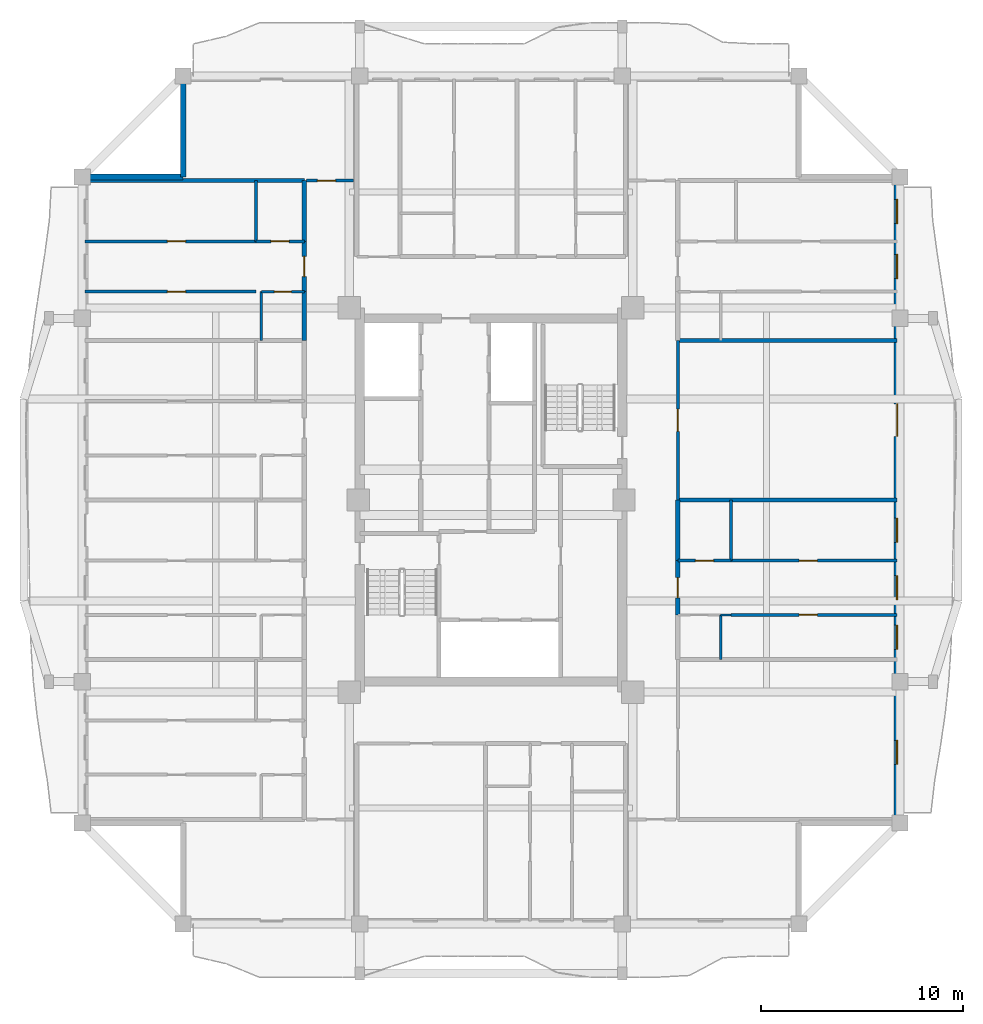
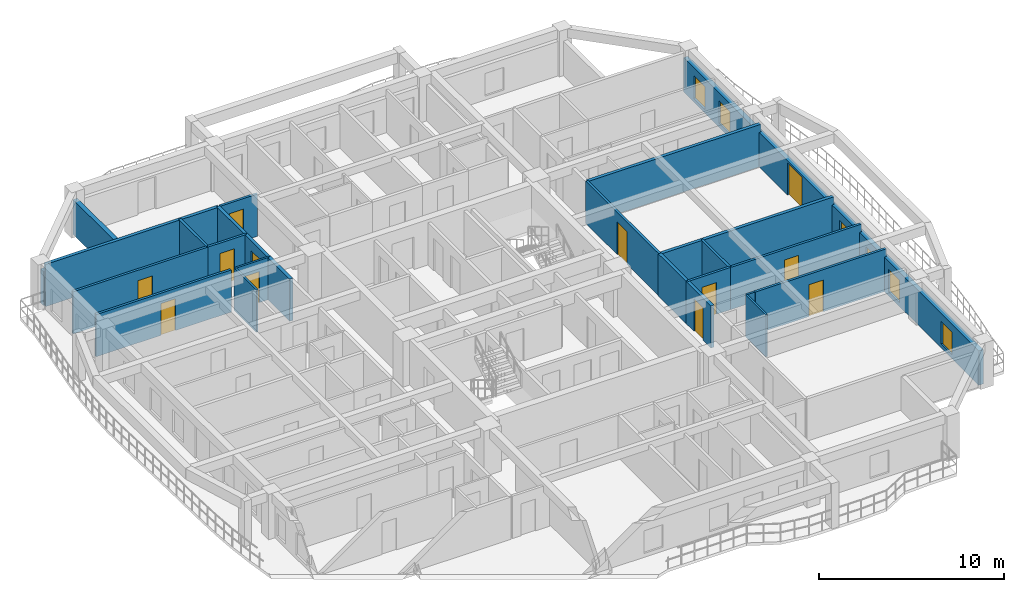
# One storey, part 5 of 13: 25 walls, 12 doors, 6 windows, 18 openings.
"""IFC4 building model written with IfcOpenShell, lengths in metres."""

from ifc_helpers import new_model, si_unit, direction, frame, frame_2d, origin, place, context, subcontext, project, spatial, rectangle, extrude, source, transform, mapped, material, layer, layer_set, type_object, element, fill, save


model = new_model("IFC4")

# Units and contexts
model_context = context("Model", 3, precision=1e-05, world=origin(), true_north=direction((0.0, 1.0)))
body_context = subcontext(model_context, "Body", "Model", "MODEL_VIEW")
ifc_project = project(units=[si_unit("LENGTHUNIT", "METRE"), si_unit("AREAUNIT", "SQUARE_METRE"), si_unit("VOLUMEUNIT", "CUBIC_METRE"), si_unit("PLANEANGLEUNIT", "RADIAN"), si_unit("MASSUNIT", "GRAM", prefix="KILO")], contexts=[model_context])

# Site, building, storey
site_placement = place(None, origin())
site = spatial("IfcSite", under=ifc_project, at=site_placement, CompositionType="ELEMENT")
building_placement = place(site_placement, origin())
building = spatial("IfcBuilding", under=site, at=building_placement, Name="Saelheon Loggia Tower", CompositionType="ELEMENT")
storey_placement = place(building_placement, frame((0.0, 0.0, 189.699951171875)))
storey = spatial("IfcBuildingStorey", under=building, at=storey_placement, Name="L59", CompositionType="ELEMENT", Elevation=189.699951171875)

# Wall, openings, windows, door
ifc_material_1 = material(Name="Architectural Precast Concrete C40/50", Category="concrete")
ifc_layer_1 = layer(ifc_material_1, 0.280029296875)
ifc_layer_set_1 = layer_set([ifc_layer_1], Name="Architectural Precast Concrete C40/50")
wall_type_1 = type_object("IfcWallType", Name="Wall_Ext_Loggia_280", PredefinedType="SOLIDWALL", material=ifc_layer_set_1)
wall_1_placement = place(storey_placement, frame((58.110107421875, 11.0, 0.0), z_axis=(0.0, 0.0, 1.0), x_axis=(0.0, 1.0, 0.0)))
wall_1 = element("IfcWall", 1, at=wall_1_placement, inside=storey, type_object=wall_type_1, Name="L59 East Loggia Inner Wall", PredefinedType="SOLIDWALL", context=body_context, shape_type="SweptSolid", body=[
    extrude(rectangle(XDim=32.0, YDim=0.280029296875, at=frame_2d((16.0, 0.0))), origin(), (0.0, 0.0, 1.0), 2.280029296875),
])
opening_1_placement = place(wall_1_placement, frame((2.89990234375, 0.0, 0.25)))
opening_1 = element("IfcOpeningElement", 2, at=opening_1_placement, cuts=wall_1, Name="Opening WN-03", PredefinedType="OPENING", context=body_context, shape_type="SweptSolid", body=[
    extrude(rectangle(XDim=1.199951171875, YDim=1.5, at=frame_2d((0.60009765625, 0.75))), frame((0.0, 0.152099609375, 0.0), z_axis=(0.0, -1.0, 0.0), x_axis=(1.0, 0.0, 0.0)), (0.0, 0.0, 1.0), 0.303955078125),
])
opening_2_placement = place(wall_1_placement, frame((8.597412109375, 0.0, 0.25)))
opening_2 = element("IfcOpeningElement", 3, at=opening_2_placement, cuts=wall_1, Name="Opening WN-03", PredefinedType="OPENING", context=body_context, shape_type="SweptSolid", body=[
    extrude(rectangle(XDim=1.199951171875, YDim=1.5, at=frame_2d((0.60009765625, 0.75))), frame((0.0, 0.152099609375, 0.0), z_axis=(0.0, -1.0, 0.0), x_axis=(1.0, 0.0, 0.0)), (0.0, 0.0, 1.0), 0.303955078125),
])
opening_3_placement = place(wall_1_placement, frame((11.049560546875, 0.0, 0.25)))
opening_3 = element("IfcOpeningElement", 4, at=opening_3_placement, cuts=wall_1, Name="Opening WN-03", PredefinedType="OPENING", context=body_context, shape_type="SweptSolid", body=[
    extrude(rectangle(XDim=1.199951171875, YDim=1.5, at=frame_2d((0.60009765625, 0.75))), frame((0.0, 0.152099609375, 0.0), z_axis=(0.0, -1.0, 0.0), x_axis=(1.0, 0.0, 0.0)), (0.0, 0.0, 1.0), 0.303955078125),
])
opening_4_placement = place(wall_1_placement, frame((13.897216796875, 0.0, 0.25)))
opening_4 = element("IfcOpeningElement", 5, at=opening_4_placement, cuts=wall_1, Name="Opening WN-03", PredefinedType="OPENING", context=body_context, shape_type="SweptSolid", body=[
    extrude(rectangle(XDim=1.199951171875, YDim=1.5, at=frame_2d((0.60009765625, 0.75))), frame((0.0, 0.152099609375, 0.0), z_axis=(0.0, -1.0, 0.0), x_axis=(1.0, 0.0, 0.0)), (0.0, 0.0, 1.0), 0.303955078125),
])
opening_5_placement = place(wall_1_placement, frame((20.755126953125, 0.0, 0.0), z_axis=(0.0, 0.0, 1.0), x_axis=(-1.0, 0.0, 0.0)))
opening_5 = element("IfcOpeningElement", 6, at=opening_5_placement, cuts=wall_1, Name="Opening DLG-1", PredefinedType="OPENING", context=body_context, shape_type="SweptSolid", body=[
    extrude(rectangle(XDim=1.60009765625, YDim=2.14990234375, at=frame_2d((0.800048828125, 1.074951171875))), frame((0.0, 0.152099609375, 0.0), z_axis=(0.0, -1.0, 0.0), x_axis=(1.0, 0.0, 0.0)), (0.0, 0.0, 1.0), 0.303955078125),
])
opening_6_placement = place(wall_1_placement, frame((26.967041015625, 0.0, 0.25)))
opening_6 = element("IfcOpeningElement", 7, at=opening_6_placement, cuts=wall_1, Name="Opening WN-03", PredefinedType="OPENING", context=body_context, shape_type="SweptSolid", body=[
    extrude(rectangle(XDim=1.199951171875, YDim=1.5, at=frame_2d((0.60009765625, 0.75))), frame((0.0, 0.152099609375, 0.0), z_axis=(0.0, -1.0, 0.0), x_axis=(1.0, 0.0, 0.0)), (0.0, 0.0, 1.0), 0.303955078125),
])
opening_7_placement = place(wall_1_placement, frame((29.68701171875, 0.0, 0.25)))
opening_7 = element("IfcOpeningElement", 8, at=opening_7_placement, cuts=wall_1, Name="Opening WN-03", PredefinedType="OPENING", context=body_context, shape_type="SweptSolid", body=[
    extrude(rectangle(XDim=1.199951171875, YDim=1.5, at=frame_2d((0.60009765625, 0.75))), frame((0.0, 0.152099609375, 0.0), z_axis=(0.0, -1.0, 0.0), x_axis=(1.0, 0.0, 0.0)), (0.0, 0.0, 1.0), 0.303955078125),
])
ifc_material_2 = material(Name="Thermal-Break Aluminium and Triple Low-E Glass", Category="aluminium")
window_type = type_object("IfcWindowType", Name="Win_Bedroom_1200x1500", PartitioningType="SINGLE_PANEL", PredefinedType="WINDOW", material=ifc_material_2)
shared_shape_1 = source(origin(), body_context, "Body", "SweptSolid", [
    extrude(rectangle(XDim=1.199951171875, YDim=1.5, at=frame_2d((0.60009765625, 0.75))), frame((0.0, 0.030029296875, 0.0), z_axis=(0.0, -1.0, 0.0), x_axis=(1.0, 0.0, 0.0)), (0.0, 0.0, 1.0), 0.06005859375),
])
window_1_placement = place(opening_1_placement, origin())
window_1 = element("IfcWindow", 9, at=window_1_placement, inside=storey, type_object=window_type, Name="L59 E Dwelling Window 1", OverallHeight=1.5, OverallWidth=1.199951171875, PartitioningType="SINGLE_PANEL", PredefinedType="WINDOW", context=body_context, shape_type="MappedRepresentation", body=[
    mapped(shared_shape_1, transform((0.0, 0.0, 0.0), scale=1.0)),
])
fill(opening_1, window_1)
window_2_placement = place(opening_2_placement, origin())
window_2 = element("IfcWindow", 10, at=window_2_placement, inside=storey, type_object=window_type, Name="L59 E Dwelling Window 2", OverallHeight=1.5, OverallWidth=1.199951171875, PartitioningType="SINGLE_PANEL", PredefinedType="WINDOW", context=body_context, shape_type="MappedRepresentation", body=[
    mapped(shared_shape_1, transform((0.0, 0.0, 0.0), scale=1.0)),
])
fill(opening_2, window_2)
window_3_placement = place(opening_3_placement, origin())
window_3 = element("IfcWindow", 11, at=window_3_placement, inside=storey, type_object=window_type, Name="L59 E Dwelling Window 3", OverallHeight=1.5, OverallWidth=1.199951171875, PartitioningType="SINGLE_PANEL", PredefinedType="WINDOW", context=body_context, shape_type="MappedRepresentation", body=[
    mapped(shared_shape_1, transform((0.0, 0.0, 0.0), scale=1.0)),
])
fill(opening_3, window_3)
window_4_placement = place(opening_4_placement, origin())
window_4 = element("IfcWindow", 12, at=window_4_placement, inside=storey, type_object=window_type, Name="L59 E Dwelling Window 4", OverallHeight=1.5, OverallWidth=1.199951171875, PartitioningType="SINGLE_PANEL", PredefinedType="WINDOW", context=body_context, shape_type="MappedRepresentation", body=[
    mapped(shared_shape_1, transform((0.0, 0.0, 0.0), scale=1.0)),
])
fill(opening_4, window_4)
window_5_placement = place(opening_6_placement, origin())
window_5 = element("IfcWindow", 13, at=window_5_placement, inside=storey, type_object=window_type, Name="L59 E Dwelling Window 6", OverallHeight=1.5, OverallWidth=1.199951171875, PartitioningType="SINGLE_PANEL", PredefinedType="WINDOW", context=body_context, shape_type="MappedRepresentation", body=[
    mapped(shared_shape_1, transform((0.0, 0.0, 0.0), scale=1.0)),
])
fill(opening_6, window_5)
window_6_placement = place(opening_7_placement, origin())
window_6 = element("IfcWindow", 14, at=window_6_placement, inside=storey, type_object=window_type, Name="L59 E Dwelling Window 7", OverallHeight=1.5, OverallWidth=1.199951171875, PartitioningType="SINGLE_PANEL", PredefinedType="WINDOW", context=body_context, shape_type="MappedRepresentation", body=[
    mapped(shared_shape_1, transform((0.0, 0.0, 0.0), scale=1.0)),
])
fill(opening_7, window_6)
ifc_material_3 = material(Name="Thermal-Break Aluminium Sliding Glazed Door", Category="aluminium")
door_type_1 = type_object("IfcDoorType", Name="Door_LoggiaSlide_1600", OperationType="SLIDING_TO_LEFT", PredefinedType="DOOR", material=ifc_material_3)
shared_shape_2 = source(origin(), body_context, "Body", "SweptSolid", [
    extrude(rectangle(XDim=1.60009765625, YDim=2.14990234375, at=frame_2d((0.800048828125, 1.074951171875))), frame((0.0, 0.02490234375, 0.0), z_axis=(0.0, -1.0, 0.0), x_axis=(1.0, 0.0, 0.0)), (0.0, 0.0, 1.0), 0.050048828125),
])
door_1_placement = place(opening_5_placement, origin())
door_1 = element("IfcDoor", 15, at=door_1_placement, inside=storey, type_object=door_type_1, Name="L59 E Loggia Access Door", OperationType="SLIDING_TO_LEFT", OverallHeight=2.14990234375, OverallWidth=1.60009765625, PredefinedType="DOOR", context=body_context, shape_type="MappedRepresentation", body=[
    mapped(shared_shape_2, transform((0.0, 0.0, 0.0), scale=1.0)),
])
fill(opening_5, door_1)

# Walls
for number, where, z_axis, x_axis, name in (
    (16, (22.75, 43.0, 0.0), (0.0, 0.0, 1.0), (0.0, 1.0, 0.0), "L59 Corner Notch Precast Wall NW1"),
    (17, (17.830078125, 43.0, 0.0), (0.0, 0.0, 1.0), (1.0, 0.0, 0.0), "L59 Corner Notch Precast Wall NW2"),
):
    element("IfcWall", number, at=place(storey_placement, frame(where, z_axis=z_axis, x_axis=x_axis)), inside=storey, type_object=wall_type_1, Name=name, PredefinedType="SOLIDWALL", context=body_context, shape_type="SweptSolid", body=[
        extrude(rectangle(XDim=4.919921875, YDim=0.280029296875, at=frame_2d((2.4599609375, 0.0))), origin(), (0.0, 0.0, 1.0), 2.280029296875),
    ])

# Wall, opening, door
ifc_material_4 = material(Name="Lightweight Autoclaved Aerated Concrete Block and Acoustic Gypsum", Category="concrete")
ifc_layer_2 = layer(ifc_material_4, 0.14990234375)
ifc_layer_set_2 = layer_set([ifc_layer_2], Name="Lightweight Autoclaved Aerated Concrete Block and Acoustic Gypsum")
wall_type_2 = type_object("IfcWallType", Name="Wall_Part_150", PredefinedType="PARTITIONING", material=ifc_layer_set_2)
wall_2_placement = place(storey_placement, frame((28.85009765625, 42.820068359375, 0.0), z_axis=(0.0, 0.0, 1.0), x_axis=(1.0, 0.0, 0.0)))
wall_2 = element("IfcWall", 18, at=wall_2_placement, inside=storey, type_object=wall_type_2, Name="PW-L59-CNW-H", PredefinedType="PARTITIONING", context=body_context, shape_type="SweptSolid", body=[
    extrude(rectangle(XDim=2.329833984375, YDim=0.14990234375, at=frame_2d((1.1650390625, 0.0))), origin(), (0.0, 0.0, 1.0), 2.7900390625),
])
opening_8_placement = place(wall_2_placement, frame((0.550048828125, 0.0, 0.0)))
opening_8 = element("IfcOpeningElement", 19, at=opening_8_placement, cuts=wall_2, Name="Opening D-IN2", PredefinedType="OPENING", context=body_context, shape_type="SweptSolid", body=[
    extrude(rectangle(XDim=0.89990234375, YDim=2.10009765625, at=frame_2d((0.449951171875, 1.050048828125))), frame((0.0, 0.0869140625, 0.0), z_axis=(0.0, -1.0, 0.0), x_axis=(1.0, 0.0, 0.0)), (0.0, 0.0, 1.0), 0.173828125),
])
ifc_material_5 = material(Name="Engineered Oak Flush Door", Category="timber")
door_type_2 = type_object("IfcDoorType", Name="Door_Int_900", OperationType="NOTDEFINED", PredefinedType="DOOR", material=ifc_material_5)
shared_shape_3 = source(origin(), body_context, "Body", "SweptSolid", [
    extrude(rectangle(XDim=0.89990234375, YDim=2.10009765625, at=frame_2d((0.449951171875, 1.050048828125))), frame((0.0, 0.02490234375, 0.0), z_axis=(0.0, -1.0, 0.0), x_axis=(1.0, 0.0, 0.0)), (0.0, 0.0, 1.0), 0.050048828125),
])
door_2_placement = place(opening_8_placement, origin())
door_2 = element("IfcDoor", 20, at=door_2_placement, inside=storey, type_object=door_type_2, Name="L59 Corner Home Office NW Door", OperationType="SINGLE_SWING_RIGHT", OverallHeight=2.10009765625, OverallWidth=0.89990234375, PredefinedType="DOOR", context=body_context, shape_type="MappedRepresentation", body=[
    mapped(shared_shape_3, transform((0.0, 0.0, 0.0), scale=1.0)),
])
fill(opening_8, door_2)

# Wall
wall_3_placement = place(storey_placement, frame((26.35009765625, 39.814208984375, 0.0), z_axis=(0.0, 0.0, 1.0), x_axis=(0.0, 1.0, 0.0)))
element("IfcWall", 21, at=wall_3_placement, inside=storey, type_object=wall_type_2, Name="L59 W Partition V37", PredefinedType="PARTITIONING", context=body_context, shape_type="SweptSolid", body=[
    extrude(rectangle(XDim=3.005859375, YDim=0.14990234375, at=frame_2d((1.5029296875, 0.0))), origin(), (0.0, 0.0, 1.0), 2.7900390625),
])

# Wall, opening, door
wall_4_placement = place(storey_placement, frame((26.35009765625, 37.320068359375, 0.0), z_axis=(0.0, 0.0, 1.0), x_axis=(-1.0, 0.0, 0.0)))
wall_4 = element("IfcWall", 22, at=wall_4_placement, inside=storey, type_object=wall_type_2, Name="L59 W Partition U39", PredefinedType="PARTITIONING", context=body_context, shape_type="SweptSolid", body=[
    extrude(rectangle(XDim=8.4501953125, YDim=0.14990234375, at=frame_2d((4.22509765625, 0.0))), origin(), (0.0, 0.0, 1.0), 2.7900390625),
])
opening_9_placement = place(wall_4_placement, frame((3.48046875, 0.0, 0.0)))
opening_9 = element("IfcOpeningElement", 23, at=opening_9_placement, cuts=wall_4, Name="Opening D-IN2", PredefinedType="OPENING", context=body_context, shape_type="SweptSolid", body=[
    extrude(rectangle(XDim=0.89990234375, YDim=2.10009765625, at=frame_2d((0.449951171875, 1.050048828125))), frame((0.0, 0.0869140625, 0.0), z_axis=(0.0, -1.0, 0.0), x_axis=(1.0, 0.0, 0.0)), (0.0, 0.0, 1.0), 0.173828125),
])
door_3_placement = place(opening_9_placement, origin())
door_3 = element("IfcDoor", 24, at=door_3_placement, inside=storey, type_object=door_type_2, Name="Unit U07 Kitchen Door", OperationType="SINGLE_SWING_LEFT", OverallHeight=2.10009765625, OverallWidth=0.89990234375, PredefinedType="DOOR", context=body_context, shape_type="MappedRepresentation", body=[
    mapped(shared_shape_3, transform((0.0, 0.0, 0.0), scale=1.0)),
])
fill(opening_9, door_3)

wall_5_placement = place(storey_placement, frame((28.75, 39.814208984375, 0.0), z_axis=(0.0, 0.0, 1.0), x_axis=(-1.0, 0.0, 0.0)))
wall_5 = element("IfcWall", 25, at=wall_5_placement, inside=storey, type_object=wall_type_2, Name="L59 W Partition U40", PredefinedType="PARTITIONING", context=body_context, shape_type="SweptSolid", body=[
    extrude(rectangle(XDim=2.39990234375, YDim=0.14990234375, at=frame_2d((1.199951171875, 0.0))), origin(), (0.0, 0.0, 1.0), 2.7900390625),
])
opening_10_placement = place(wall_5_placement, frame((0.75, 0.0, 0.0)))
opening_10 = element("IfcOpeningElement", 26, at=opening_10_placement, cuts=wall_5, Name="Opening D-IN2", PredefinedType="OPENING", context=body_context, shape_type="SweptSolid", body=[
    extrude(rectangle(XDim=0.89990234375, YDim=2.10009765625, at=frame_2d((0.449951171875, 1.050048828125))), frame((0.0, 0.0869140625, 0.0), z_axis=(0.0, -1.0, 0.0), x_axis=(1.0, 0.0, 0.0)), (0.0, 0.0, 1.0), 0.173828125),
])
door_4_placement = place(opening_10_placement, origin())
door_4 = element("IfcDoor", 27, at=door_4_placement, inside=storey, type_object=door_type_2, Name="Unit U07 Dressing Closet Door", OperationType="SINGLE_SWING_RIGHT", OverallHeight=2.10009765625, OverallWidth=0.89990234375, PredefinedType="DOOR", context=body_context, shape_type="MappedRepresentation", body=[
    mapped(shared_shape_3, transform((0.0, 0.0, 0.0), scale=1.0)),
])
fill(opening_10, door_4)

wall_6_placement = place(storey_placement, frame((26.35009765625, 39.814208984375, 0.0), z_axis=(0.0, 0.0, 1.0), x_axis=(-1.0, 0.0, 0.0)))
wall_6 = element("IfcWall", 28, at=wall_6_placement, inside=storey, type_object=wall_type_2, Name="L59 W Partition U41", PredefinedType="PARTITIONING", context=body_context, shape_type="SweptSolid", body=[
    extrude(rectangle(XDim=8.4501953125, YDim=0.14990234375, at=frame_2d((4.22509765625, 0.0))), origin(), (0.0, 0.0, 1.0), 2.7900390625),
])
opening_11_placement = place(wall_6_placement, frame((3.48046875, 0.0, 0.0)))
opening_11 = element("IfcOpeningElement", 29, at=opening_11_placement, cuts=wall_6, Name="Opening D-IN2", PredefinedType="OPENING", context=body_context, shape_type="SweptSolid", body=[
    extrude(rectangle(XDim=0.89990234375, YDim=2.10009765625, at=frame_2d((0.449951171875, 1.050048828125))), frame((0.0, 0.0869140625, 0.0), z_axis=(0.0, -1.0, 0.0), x_axis=(1.0, 0.0, 0.0)), (0.0, 0.0, 1.0), 0.173828125),
])
door_5_placement = place(opening_11_placement, origin())
door_5 = element("IfcDoor", 30, at=door_5_placement, inside=storey, type_object=door_type_2, Name="Unit U07 Bedroom 1 Door", OperationType="SINGLE_SWING_LEFT", OverallHeight=2.10009765625, OverallWidth=0.89990234375, PredefinedType="DOOR", context=body_context, shape_type="MappedRepresentation", body=[
    mapped(shared_shape_3, transform((0.0, 0.0, 0.0), scale=1.0)),
])
fill(opening_11, door_5)

# Wall
wall_7_placement = place(storey_placement, frame((49.889892578125, 23.994140625, 0.0), z_axis=(0.0, 0.0, 1.0), x_axis=(0.0, 1.0, 0.0)))
element("IfcWall", 31, at=wall_7_placement, inside=storey, type_object=wall_type_2, Name="L59 E Partition V09", PredefinedType="PARTITIONING", context=body_context, shape_type="SweptSolid", body=[
    extrude(rectangle(XDim=3.005859375, YDim=0.14990234375, at=frame_2d((1.5029296875, 0.0))), origin(), (0.0, 0.0, 1.0), 2.7900390625),
])

# Wall, opening, door
wall_8_placement = place(storey_placement, frame((49.889892578125, 21.3046875, 0.0), z_axis=(0.0, 0.0, 1.0), x_axis=(1.0, 0.0, 0.0)))
wall_8 = element("IfcWall", 32, at=wall_8_placement, inside=storey, type_object=wall_type_2, Name="L59 E Partition U12", PredefinedType="PARTITIONING", context=body_context, shape_type="SweptSolid", body=[
    extrude(rectangle(XDim=8.210205078125, YDim=0.14990234375, at=frame_2d((4.10498046875, 0.0))), origin(), (0.0, 0.0, 1.0), 2.7900390625),
])
opening_12_placement = place(wall_8_placement, frame((3.370361328125, 0.0, 0.0)))
opening_12 = element("IfcOpeningElement", 33, at=opening_12_placement, cuts=wall_8, Name="Opening D-IN2", PredefinedType="OPENING", context=body_context, shape_type="SweptSolid", body=[
    extrude(rectangle(XDim=0.89990234375, YDim=2.10009765625, at=frame_2d((0.449951171875, 1.050048828125))), frame((0.0, 0.0869140625, 0.0), z_axis=(0.0, -1.0, 0.0), x_axis=(1.0, 0.0, 0.0)), (0.0, 0.0, 1.0), 0.173828125),
])
door_6_placement = place(opening_12_placement, origin())
door_6 = element("IfcDoor", 34, at=door_6_placement, inside=storey, type_object=door_type_2, Name="Unit U08 Kitchen Door", OperationType="SINGLE_SWING_LEFT", OverallHeight=2.10009765625, OverallWidth=0.89990234375, PredefinedType="DOOR", context=body_context, shape_type="MappedRepresentation", body=[
    mapped(shared_shape_3, transform((0.0, 0.0, 0.0), scale=1.0)),
])
fill(opening_12, door_6)

wall_9_placement = place(storey_placement, frame((47.25, 23.994140625, 0.0), z_axis=(0.0, 0.0, 1.0), x_axis=(1.0, 0.0, 0.0)))
wall_9 = element("IfcWall", 35, at=wall_9_placement, inside=storey, type_object=wall_type_2, Name="L59 E Partition U13", PredefinedType="PARTITIONING", context=body_context, shape_type="SweptSolid", body=[
    extrude(rectangle(XDim=2.639892578125, YDim=0.14990234375, at=frame_2d((1.31982421875, 0.0))), origin(), (0.0, 0.0, 1.0), 2.7900390625),
])
opening_13_placement = place(wall_9_placement, frame((0.8701171875, 0.0, 0.0)))
opening_13 = element("IfcOpeningElement", 36, at=opening_13_placement, cuts=wall_9, Name="Opening D-IN2", PredefinedType="OPENING", context=body_context, shape_type="SweptSolid", body=[
    extrude(rectangle(XDim=0.89990234375, YDim=2.10009765625, at=frame_2d((0.449951171875, 1.050048828125))), frame((0.0, 0.0869140625, 0.0), z_axis=(0.0, -1.0, 0.0), x_axis=(1.0, 0.0, 0.0)), (0.0, 0.0, 1.0), 0.173828125),
])
door_7_placement = place(opening_13_placement, origin())
door_7 = element("IfcDoor", 37, at=door_7_placement, inside=storey, type_object=door_type_2, Name="Unit U08 Dressing Closet Door", OperationType="SINGLE_SWING_RIGHT", OverallHeight=2.10009765625, OverallWidth=0.89990234375, PredefinedType="DOOR", context=body_context, shape_type="MappedRepresentation", body=[
    mapped(shared_shape_3, transform((0.0, 0.0, 0.0), scale=1.0)),
])
fill(opening_13, door_7)

wall_10_placement = place(storey_placement, frame((49.889892578125, 23.994140625, 0.0), z_axis=(0.0, 0.0, 1.0), x_axis=(1.0, 0.0, 0.0)))
wall_10 = element("IfcWall", 38, at=wall_10_placement, inside=storey, type_object=wall_type_2, Name="L59 E Partition U14", PredefinedType="PARTITIONING", context=body_context, shape_type="SweptSolid", body=[
    extrude(rectangle(XDim=8.210205078125, YDim=0.14990234375, at=frame_2d((4.10498046875, 0.0))), origin(), (0.0, 0.0, 1.0), 2.7900390625),
])
opening_14_placement = place(wall_10_placement, frame((3.370361328125, 0.0, 0.0)))
opening_14 = element("IfcOpeningElement", 39, at=opening_14_placement, cuts=wall_10, Name="Opening D-IN2", PredefinedType="OPENING", context=body_context, shape_type="SweptSolid", body=[
    extrude(rectangle(XDim=0.89990234375, YDim=2.10009765625, at=frame_2d((0.449951171875, 1.050048828125))), frame((0.0, 0.0869140625, 0.0), z_axis=(0.0, -1.0, 0.0), x_axis=(1.0, 0.0, 0.0)), (0.0, 0.0, 1.0), 0.173828125),
])
door_8_placement = place(opening_14_placement, origin())
door_8 = element("IfcDoor", 40, at=door_8_placement, inside=storey, type_object=door_type_2, Name="Unit U08 Bedroom 1 Door", OperationType="SINGLE_SWING_LEFT", OverallHeight=2.10009765625, OverallWidth=0.89990234375, PredefinedType="DOOR", context=body_context, shape_type="MappedRepresentation", body=[
    mapped(shared_shape_3, transform((0.0, 0.0, 0.0), scale=1.0)),
])
fill(opening_14, door_8)

wall_11_placement = place(storey_placement, frame((47.25, 27.0, 0.0), z_axis=(0.0, 0.0, 1.0), x_axis=(0.0, 1.0, 0.0)))
wall_11 = element("IfcWall", 41, at=wall_11_placement, inside=storey, type_object=wall_type_2, Name="L59 E Partition V16", PredefinedType="PARTITIONING", context=body_context, shape_type="SweptSolid", body=[
    extrude(rectangle(XDim=7.909912109375, YDim=0.14990234375, at=frame_2d((3.955078125, 0.0))), origin(), (0.0, 0.0, 1.0), 2.7900390625),
])
opening_15_placement = place(wall_11_placement, frame((3.405029296875, 0.0, 0.0)))
opening_15 = element("IfcOpeningElement", 42, at=opening_15_placement, cuts=wall_11, Name="Opening D-FD2", PredefinedType="OPENING", context=body_context, shape_type="SweptSolid", body=[
    extrude(rectangle(XDim=1.10009765625, YDim=2.14990234375, at=frame_2d((0.550048828125, 1.074951171875))), frame((0.0, 0.0869140625, 0.0), z_axis=(0.0, -1.0, 0.0), x_axis=(1.0, 0.0, 0.0)), (0.0, 0.0, 1.0), 0.173828125),
])
ifc_material_6 = material(Name="Galvanised Steel Fire Door", Category="steel")
door_type_3 = type_object("IfcDoorType", Name="Door_Fire_FD60_1100", OperationType="NOTDEFINED", PredefinedType="DOOR", material=ifc_material_6)
shared_shape_4 = source(origin(), body_context, "Body", "SweptSolid", [
    extrude(rectangle(XDim=1.10009765625, YDim=2.14990234375, at=frame_2d((0.550048828125, 1.074951171875))), frame((0.0, 0.02490234375, 0.0), z_axis=(0.0, -1.0, 0.0), x_axis=(1.0, 0.0, 0.0)), (0.0, 0.0, 1.0), 0.050048828125),
])
door_9_placement = place(opening_15_placement, origin())
door_9 = element("IfcDoor", 43, at=door_9_placement, inside=storey, type_object=door_type_3, Name="L59 Community Reading Library Door A", OperationType="SINGLE_SWING_RIGHT", OverallHeight=2.14990234375, OverallWidth=1.10009765625, PredefinedType="DOOR", context=body_context, shape_type="MappedRepresentation", body=[
    mapped(shared_shape_4, transform((0.0, 0.0, 0.0), scale=1.0)),
])
fill(opening_15, door_9)

# Walls
ifc_material_7 = material(Name="Double Acoustic Stud and Fireboard Partition", Category="gypsum")
ifc_layer_3 = layer(ifc_material_7, 0.199951171875)
ifc_layer_set_3 = layer_set([ifc_layer_3], Name="Double Acoustic Stud and Fireboard Partition")
wall_type_3 = type_object("IfcWallType", Name="Wall_Party_200", PredefinedType="PARTITIONING", material=ifc_layer_set_3)
wall_12_placement = place(storey_placement, frame((28.75, 42.820068359375, 0.0), z_axis=(0.0, 0.0, 1.0), x_axis=(-1.0, 0.0, 0.0)))
element("IfcWall", 44, at=wall_12_placement, inside=storey, type_object=wall_type_3, Name="L59 W Partition U02", PredefinedType="PARTITIONING", context=body_context, shape_type="SweptSolid", body=[
    extrude(rectangle(XDim=10.85009765625, YDim=0.199951171875, at=frame_2d((5.425048828125, 0.0))), origin(), (0.0, 0.0, 1.0), 2.7900390625),
])
wall_13_placement = place(storey_placement, frame((28.75, 34.909912109375, 0.0), z_axis=(0.0, 0.0, 1.0), x_axis=(0.0, 1.0, 0.0)))
element("IfcWall", 45, at=wall_13_placement, inside=storey, type_object=wall_type_3, Name="L59 W Partition V33", PredefinedType="PARTITIONING", context=body_context, shape_type="SweptSolid", body=[
    extrude(rectangle(XDim=2.41015625, YDim=0.199951171875, at=frame_2d((1.205078125, 0.0))), origin(), (0.0, 0.0, 1.0), 2.7900390625),
])

# Wall, opening, door
wall_14_placement = place(storey_placement, frame((28.75, 37.320068359375, 0.0), z_axis=(0.0, 0.0, 1.0), x_axis=(0.0, 1.0, 0.0)))
wall_14 = element("IfcWall", 46, at=wall_14_placement, inside=storey, type_object=wall_type_3, Name="L59 W Partition V34", PredefinedType="PARTITIONING", context=body_context, shape_type="SweptSolid", body=[
    extrude(rectangle(XDim=2.494140625, YDim=0.199951171875, at=frame_2d((1.2470703125, 0.0))), origin(), (0.0, 0.0, 1.0), 2.7900390625),
])
opening_16_placement = place(wall_14_placement, frame((0.7470703125, 0.0, 0.0)))
opening_16 = element("IfcOpeningElement", 47, at=opening_16_placement, cuts=wall_14, Name="Opening D-FD1", PredefinedType="OPENING", context=body_context, shape_type="SweptSolid", body=[
    extrude(rectangle(XDim=1.0, YDim=2.14990234375, at=frame_2d((0.5, 1.074951171875))), frame((0.0, 0.112060546875, 0.0), z_axis=(0.0, -1.0, 0.0), x_axis=(1.0, 0.0, 0.0)), (0.0, 0.0, 1.0), 0.223876953125),
])
ifc_material_8 = material(Name="Fire-Rated Engineered Timber Entrance Door", Category="wood")
door_type_4 = type_object("IfcDoorType", Name="Door_Flat_FD30S", OperationType="NOTDEFINED", PredefinedType="DOOR", material=ifc_material_8)
shared_shape_5 = source(origin(), body_context, "Body", "SweptSolid", [
    extrude(rectangle(XDim=1.0, YDim=2.14990234375, at=frame_2d((0.5, 1.074951171875))), frame((0.0, 0.02490234375, 0.0), z_axis=(0.0, -1.0, 0.0), x_axis=(1.0, 0.0, 0.0)), (0.0, 0.0, 1.0), 0.050048828125),
])
door_10_placement = place(opening_16_placement, origin())
door_10 = element("IfcDoor", 48, at=door_10_placement, inside=storey, type_object=door_type_4, Name="Unit U07 Entrance Door", OperationType="SINGLE_SWING_LEFT", OverallHeight=2.14990234375, OverallWidth=1.0, PredefinedType="DOOR", context=body_context, shape_type="MappedRepresentation", body=[
    mapped(shared_shape_5, transform((0.0, 0.0, 0.0), scale=1.0)),
])
fill(opening_16, door_10)

# Wall
wall_15_placement = place(storey_placement, frame((28.75, 39.814208984375, 0.0), z_axis=(0.0, 0.0, 1.0), x_axis=(0.0, 1.0, 0.0)))
element("IfcWall", 49, at=wall_15_placement, inside=storey, type_object=wall_type_3, Name="L59 W Partition V35", PredefinedType="PARTITIONING", context=body_context, shape_type="SweptSolid", body=[
    extrude(rectangle(XDim=3.005859375, YDim=0.199951171875, at=frame_2d((1.5029296875, 0.0))), origin(), (0.0, 0.0, 1.0), 2.7900390625),
])

# Wall, opening, door
wall_16_placement = place(storey_placement, frame((47.25, 21.3046875, 0.0), z_axis=(0.0, 0.0, 1.0), x_axis=(0.0, 1.0, 0.0)))
wall_16 = element("IfcWall", 50, at=wall_16_placement, inside=storey, type_object=wall_type_3, Name="L59 E Partition V06", PredefinedType="PARTITIONING", context=body_context, shape_type="SweptSolid", body=[
    extrude(rectangle(XDim=2.689453125, YDim=0.199951171875, at=frame_2d((1.3447265625, 0.0))), origin(), (0.0, 0.0, 1.0), 2.7900390625),
])
opening_17_placement = place(wall_16_placement, frame((0.8447265625, 0.0, 0.0)))
opening_17 = element("IfcOpeningElement", 51, at=opening_17_placement, cuts=wall_16, Name="Opening D-FD1", PredefinedType="OPENING", context=body_context, shape_type="SweptSolid", body=[
    extrude(rectangle(XDim=1.0, YDim=2.14990234375, at=frame_2d((0.5, 1.074951171875))), frame((0.0, 0.112060546875, 0.0), z_axis=(0.0, -1.0, 0.0), x_axis=(1.0, 0.0, 0.0)), (0.0, 0.0, 1.0), 0.223876953125),
])
door_11_placement = place(opening_17_placement, origin())
door_11 = element("IfcDoor", 52, at=door_11_placement, inside=storey, type_object=door_type_4, Name="Unit U08 Entrance Door", OperationType="SINGLE_SWING_LEFT", OverallHeight=2.14990234375, OverallWidth=1.0, PredefinedType="DOOR", context=body_context, shape_type="MappedRepresentation", body=[
    mapped(shared_shape_5, transform((0.0, 0.0, 0.0), scale=1.0)),
])
fill(opening_17, door_11)

# Walls
wall_17_placement = place(storey_placement, frame((47.25, 23.994140625, 0.0), z_axis=(0.0, 0.0, 1.0), x_axis=(0.0, 1.0, 0.0)))
element("IfcWall", 53, at=wall_17_placement, inside=storey, type_object=wall_type_3, Name="L59 E Partition V07", PredefinedType="PARTITIONING", context=body_context, shape_type="SweptSolid", body=[
    extrude(rectangle(XDim=3.005859375, YDim=0.199951171875, at=frame_2d((1.5029296875, 0.0))), origin(), (0.0, 0.0, 1.0), 2.7900390625),
])
for number, where, z_axis, x_axis, name in (
    (54, (47.25, 27.0, 0.0), (0.0, 0.0, 1.0), (1.0, 0.0, 0.0), "L59 E Partition U15"),
    (55, (47.25, 34.909912109375, 0.0), (0.0, 0.0, 1.0), (1.0, 0.0, 0.0), "L59 E Partition U17"),
):
    element("IfcWall", number, at=place(storey_placement, frame(where, z_axis=z_axis, x_axis=x_axis)), inside=storey, type_object=wall_type_3, Name=name, PredefinedType="PARTITIONING", context=body_context, shape_type="SweptSolid", body=[
        extrude(rectangle(XDim=10.85009765625, YDim=0.199951171875, at=frame_2d((5.425048828125, 0.0))), origin(), (0.0, 0.0, 1.0), 2.7900390625),
    ])
ifc_material_9 = material(Name="Moisture-Resistant Cement Board Partition", Category="gypsum")
ifc_layer_4 = layer(ifc_material_9, 0.1201171875)
ifc_layer_set_4 = layer_set([ifc_layer_4], Name="Moisture-Resistant Cement Board Partition")
wall_type_4 = type_object("IfcWallType", Name="Wall_WetPart_120", PredefinedType="PARTITIONING", material=ifc_layer_set_4)
wall_18_placement = place(storey_placement, frame((26.6298828125, 34.909912109375, 0.0), z_axis=(0.0, 0.0, 1.0), x_axis=(0.0, 1.0, 0.0)))
element("IfcWall", 56, at=wall_18_placement, inside=storey, type_object=wall_type_4, Name="L59 W Partition V36", PredefinedType="PARTITIONING", context=body_context, shape_type="SweptSolid", body=[
    extrude(rectangle(XDim=2.41015625, YDim=0.1201171875, at=frame_2d((1.205078125, 0.0))), origin(), (0.0, 0.0, 1.0), 2.7900390625),
])

# Wall, opening, door
wall_19_placement = place(storey_placement, frame((28.75, 37.320068359375, 0.0), z_axis=(0.0, 0.0, 1.0), x_axis=(-1.0, 0.0, 0.0)))
wall_19 = element("IfcWall", 57, at=wall_19_placement, inside=storey, type_object=wall_type_4, Name="L59 W Partition U38", PredefinedType="PARTITIONING", context=body_context, shape_type="SweptSolid", body=[
    extrude(rectangle(XDim=2.1201171875, YDim=0.1201171875, at=frame_2d((1.06005859375, 0.0))), origin(), (0.0, 0.0, 1.0), 2.7900390625),
])
opening_18_placement = place(wall_19_placement, frame((0.635009765625, 0.0, 0.0)))
opening_18 = element("IfcOpeningElement", 58, at=opening_18_placement, cuts=wall_19, Name="Opening D-BT1", PredefinedType="OPENING", context=body_context, shape_type="SweptSolid", body=[
    extrude(rectangle(XDim=0.85009765625, YDim=2.050048828125, at=frame_2d((0.425048828125, 1.02490234375))), frame((0.0, 0.072021484375, 0.0), z_axis=(0.0, -1.0, 0.0), x_axis=(1.0, 0.0, 0.0)), (0.0, 0.0, 1.0), 0.14404296875),
])
ifc_material_10 = material(Name="Moisture-Resistant Laminate Timber Door", Category="wood")
door_type_5 = type_object("IfcDoorType", Name="Door_Bath_850", OperationType="NOTDEFINED", PredefinedType="DOOR", material=ifc_material_10)
shared_shape_6 = source(origin(), body_context, "Body", "SweptSolid", [
    extrude(rectangle(XDim=0.85009765625, YDim=2.050048828125, at=frame_2d((0.425048828125, 1.02490234375))), frame((0.0, 0.02490234375, 0.0), z_axis=(0.0, -1.0, 0.0), x_axis=(1.0, 0.0, 0.0)), (0.0, 0.0, 1.0), 0.050048828125),
])
door_12_placement = place(opening_18_placement, origin())
door_12 = element("IfcDoor", 59, at=door_12_placement, inside=storey, type_object=door_type_5, Name="Unit U07 Bathroom Door", OperationType="SINGLE_SWING_RIGHT", OverallHeight=2.050048828125, OverallWidth=0.85009765625, PredefinedType="DOOR", context=body_context, shape_type="MappedRepresentation", body=[
    mapped(shared_shape_6, transform((0.0, 0.0, 0.0), scale=1.0)),
])
fill(opening_18, door_12)

# Walls
wall_20_placement = place(storey_placement, frame((49.3701171875, 19.090087890625, 0.0), z_axis=(0.0, 0.0, 1.0), x_axis=(0.0, 1.0, 0.0)))
element("IfcWall", 60, at=wall_20_placement, inside=storey, type_object=wall_type_4, Name="L59 E Partition V08", PredefinedType="PARTITIONING", context=body_context, shape_type="SweptSolid", body=[
    extrude(rectangle(XDim=2.214599609375, YDim=0.1201171875, at=frame_2d((1.107421875, 0.0))), origin(), (0.0, 0.0, 1.0), 2.7900390625),
])
wall_21_placement = place(storey_placement, frame((49.3701171875, 21.3046875, 0.0), z_axis=(0.0, 0.0, 1.0), x_axis=(1.0, 0.0, 0.0)))
element("IfcWall", 61, at=wall_21_placement, inside=storey, type_object=wall_type_4, Name="L59 E Partition U11", PredefinedType="PARTITIONING", context=body_context, shape_type="SweptSolid", body=[
    extrude(rectangle(XDim=0.519775390625, YDim=0.1201171875, at=frame_2d((0.259765625, 0.0))), origin(), (0.0, 0.0, 1.0), 2.7900390625),
])

save(model, "model.ifc")
